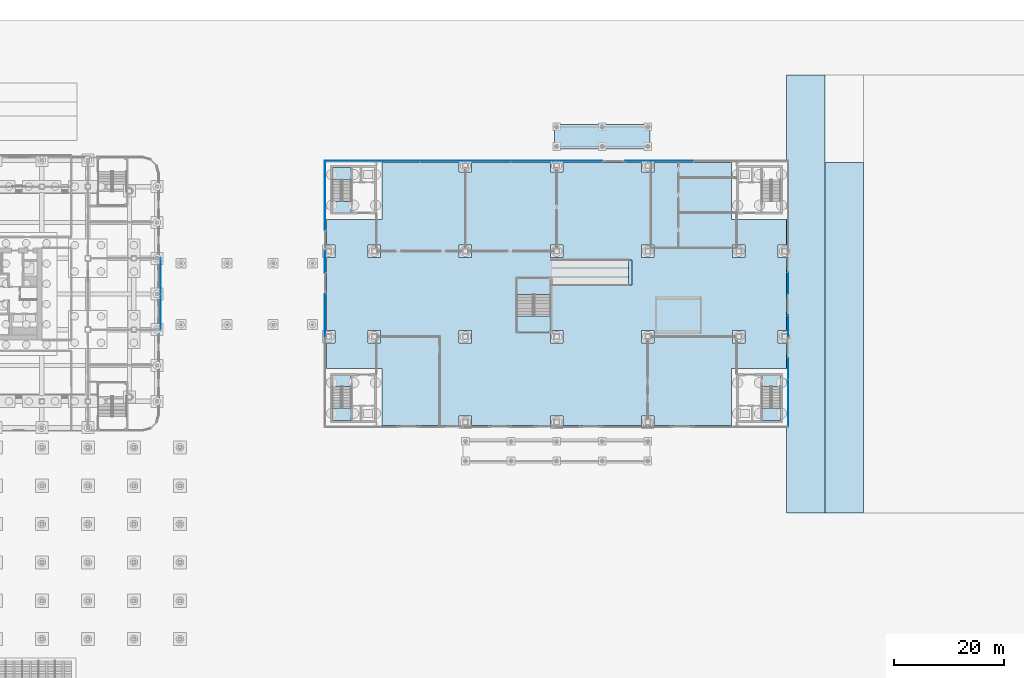
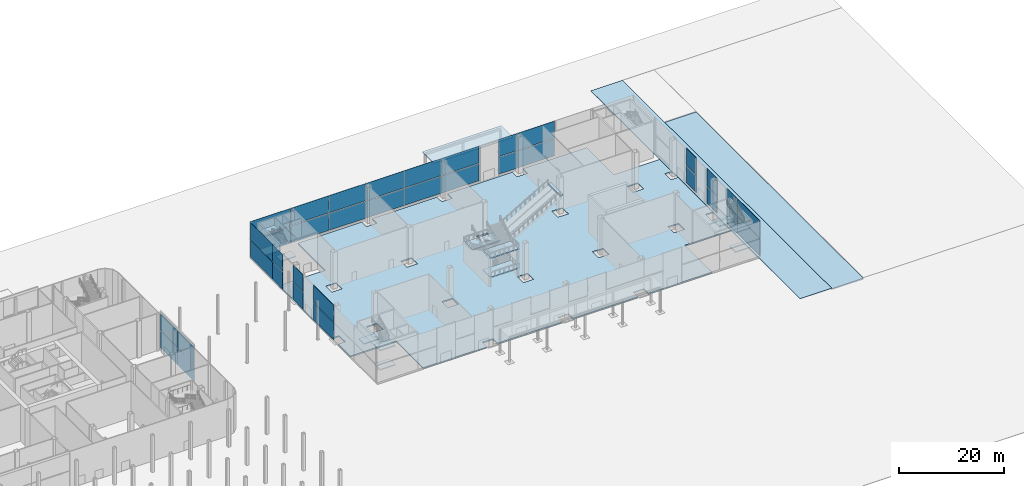
# One storey, part 33 of 113: 37 plates, 16 slabs, 8 elements without a shape of their own.
"""IFC4 building model written with IfcOpenShell, lengths in metres."""

from ifc_helpers import new_model, si_unit, direction, frame, origin, origin_2d, place, context, subcontext, project, spatial, polyline, rectangle, outline, extrude, material, layer, layer_set, type_object, element, aggregate, save


model = new_model("IFC4")

# Units and contexts
model_context = context("Model", 3, precision=1e-05, world=origin(), true_north=direction((0.0, 1.0)))
body_context = subcontext(model_context, "Body", "Model", "MODEL_VIEW")
ifc_project = project(units=[si_unit("LENGTHUNIT", "METRE"), si_unit("AREAUNIT", "SQUARE_METRE"), si_unit("VOLUMEUNIT", "CUBIC_METRE"), si_unit("PLANEANGLEUNIT", "RADIAN"), si_unit("MASSUNIT", "GRAM", prefix="KILO")], contexts=[model_context])

# Site, building, storey
site_placement = place(None, origin())
site = spatial("IfcSite", under=ifc_project, at=site_placement, CompositionType="ELEMENT")
building_placement = place(site_placement, origin())
building = spatial("IfcBuilding", under=site, at=building_placement, Name="Hakoniwa Tower and Hamabe Station Hall", CompositionType="ELEMENT")
storey_placement = place(building_placement, origin())
storey = spatial("IfcBuildingStorey", under=building, at=storey_placement, Name="L01", CompositionType="ELEMENT", Elevation=0.0)

# Slab
ifc_material_1 = material(Name="Concrete C40", Category="concrete")
ifc_layer_1 = layer(ifc_material_1, 0.199951171875)
ifc_layer_set_1 = layer_set([ifc_layer_1], Name="CANOPY ROOF SLAB 200")
slab_type_1 = type_object("IfcSlabType", Name="CANOPY ROOF SLAB 200", PredefinedType="ROOF", material=ifc_layer_set_1)
slab_1_placement = place(storey_placement, frame((0.0, 0.0, 5.949951171875)))
element("IfcSlab", 1, at=slab_1_placement, inside=storey, type_object=slab_type_1, Name="Entrance canopy N roof", PredefinedType="ROOF", context=body_context, shape_type="SweptSolid", body=[
    extrude(outline(polyline([(144.590087890625, 26.5), (144.590087890625, 30.89990234375), (127.14990234375, 30.89990234375), (127.14990234375, 26.5), (144.590087890625, 26.5)])), origin(), (0.0, 0.0, 1.0), 0.199951171875),
])

# Curtain wall, plates
ifc_material_2 = material(Name="Dark low-e laminated glass", Category="glass")
ifc_layer_2 = layer(ifc_material_2, 0.199951171875)
ifc_layer_set_2 = layer_set([ifc_layer_2], Name="CW-3 PODIUM LOBBY")
curtain_wall_type_1 = type_object("IfcCurtainWallType", Name="CW-3 PODIUM LOBBY", PredefinedType="NOTDEFINED", material=ifc_layer_set_2)
curtain_wall_1_placement = place(storey_placement, origin())
curtain_wall_1 = element("IfcCurtainWall", 2, at=curtain_wall_1_placement, inside=storey, type_object=curtain_wall_type_1, Name="Podium curtain wall L01 east 5", PredefinedType="NOTDEFINED")
ifc_material_3 = material(Name="Dark low-e laminated glass", Category="glass")
ifc_layer_3 = layer(ifc_material_3, 0.0380859375)
ifc_layer_set_3 = layer_set([ifc_layer_3], Name="CW-3 LOBBY GLASS UNIT")
plate_type_1 = type_object("IfcPlateType", Name="CW-3 LOBBY GLASS UNIT", PredefinedType="CURTAIN_PANEL", material=ifc_layer_set_3)
plate_1_placement = place(storey_placement, frame((55.285888671875, -3.25, 0.35009765625), z_axis=(0.0, 0.0, 1.0), x_axis=(0.0, 1.0, 0.0)))
plate_1 = element("IfcPlate", 3, at=plate_1_placement, type_object=plate_type_1, Name="CW-3 glass unit", PredefinedType="CURTAIN_PANEL", context=body_context, shape_type="SweptSolid", body=[
    extrude(rectangle(XDim=6.47998046875, YDim=0.0380859375, at=origin_2d()), origin(), (0.0, 0.0, 1.0), 3.989990234375),
])
plate_2_placement = place(storey_placement, frame((55.285888671875, -3.25, 4.4599609375), z_axis=(0.0, 0.0, 1.0), x_axis=(0.0, 1.0, 0.0)))
plate_2 = element("IfcPlate", 4, at=plate_2_placement, type_object=plate_type_1, Name="CW-3 glass unit", PredefinedType="CURTAIN_PANEL", context=body_context, shape_type="SweptSolid", body=[
    extrude(rectangle(XDim=6.47998046875, YDim=0.0380859375, at=origin_2d()), origin(), (0.0, 0.0, 1.0), 3.989990234375),
])
plate_3_placement = place(storey_placement, frame((55.285888671875, 3.25, 0.35009765625), z_axis=(0.0, 0.0, 1.0), x_axis=(0.0, 1.0, 0.0)))
plate_3 = element("IfcPlate", 5, at=plate_3_placement, type_object=plate_type_1, Name="CW-3 glass unit", PredefinedType="CURTAIN_PANEL", context=body_context, shape_type="SweptSolid", body=[
    extrude(rectangle(XDim=6.47998046875, YDim=0.0380859375, at=origin_2d()), origin(), (0.0, 0.0, 1.0), 3.989990234375),
])
plate_4_placement = place(storey_placement, frame((55.285888671875, 3.25, 4.4599609375), z_axis=(0.0, 0.0, 1.0), x_axis=(0.0, 1.0, 0.0)))
plate_4 = element("IfcPlate", 6, at=plate_4_placement, type_object=plate_type_1, Name="CW-3 glass unit", PredefinedType="CURTAIN_PANEL", context=body_context, shape_type="SweptSolid", body=[
    extrude(rectangle(XDim=6.47998046875, YDim=0.0380859375, at=origin_2d()), origin(), (0.0, 0.0, 1.0), 3.989990234375),
])
aggregate(curtain_wall_1, [plate_1, plate_2, plate_3, plate_4])

ifc_material_4 = material(Name="Dark low-e laminated glass", Category="glass")
ifc_layer_4 = layer(ifc_material_4, 0.199951171875)
ifc_layer_set_4 = layer_set([ifc_layer_4], Name="CW-7 STATION")
curtain_wall_type_2 = type_object("IfcCurtainWallType", Name="CW-7 STATION", PredefinedType="NOTDEFINED", material=ifc_layer_set_4)
curtain_wall_2_placement = place(storey_placement, origin())
curtain_wall_2 = element("IfcCurtainWall", 7, at=curtain_wall_2_placement, inside=storey, type_object=curtain_wall_type_2, Name="Station curtain wall L01 east", PredefinedType="NOTDEFINED")
ifc_material_5 = material(Name="Dark low-e laminated glass", Category="glass")
ifc_layer_5 = layer(ifc_material_5, 0.0400390625)
ifc_layer_set_5 = layer_set([ifc_layer_5], Name="CW-7 STATION GLASS UNIT")
plate_type_2 = type_object("IfcPlateType", Name="CW-7 STATION GLASS UNIT", PredefinedType="CURTAIN_PANEL", material=ifc_layer_set_5)
plate_5_placement = place(storey_placement, frame((169.8359375, -19.85009765625, 0.35009765625), z_axis=(0.0, 0.0, 1.0), x_axis=(0.0, 1.0, 0.0)))
plate_5 = element("IfcPlate", 8, at=plate_5_placement, type_object=plate_type_2, Name="CW-7 glass unit", PredefinedType="CURTAIN_PANEL", context=body_context, shape_type="SweptSolid", body=[
    extrude(rectangle(XDim=8.47998046875, YDim=0.0400390625, at=origin_2d()), origin(), (0.0, 0.0, 1.0), 3.989990234375),
])
plate_6_placement = place(storey_placement, frame((169.8359375, -19.85009765625, 4.4599609375), z_axis=(0.0, 0.0, 1.0), x_axis=(0.0, 1.0, 0.0)))
plate_6 = element("IfcPlate", 9, at=plate_6_placement, type_object=plate_type_2, Name="CW-7 glass unit", PredefinedType="CURTAIN_PANEL", context=body_context, shape_type="SweptSolid", body=[
    extrude(rectangle(XDim=8.47998046875, YDim=0.0400390625, at=origin_2d()), origin(), (0.0, 0.0, 1.0), 3.989990234375),
])
plate_7_placement = place(storey_placement, frame((169.8359375, -13.64990234375, 0.35009765625), z_axis=(0.0, 0.0, 1.0), x_axis=(0.0, 1.0, 0.0)))
plate_7 = element("IfcPlate", 10, at=plate_7_placement, type_object=plate_type_2, Name="CW-7 glass unit", PredefinedType="CURTAIN_PANEL", context=body_context, shape_type="SweptSolid", body=[
    extrude(rectangle(XDim=3.8798828125, YDim=0.0400390625, at=origin_2d()), origin(), (0.0, 0.0, 1.0), 3.989990234375),
])
plate_8_placement = place(storey_placement, frame((169.8359375, -13.64990234375, 4.4599609375), z_axis=(0.0, 0.0, 1.0), x_axis=(0.0, 1.0, 0.0)))
plate_8 = element("IfcPlate", 11, at=plate_8_placement, type_object=plate_type_2, Name="CW-7 glass unit", PredefinedType="CURTAIN_PANEL", context=body_context, shape_type="SweptSolid", body=[
    extrude(rectangle(XDim=3.8798828125, YDim=0.0400390625, at=origin_2d()), origin(), (0.0, 0.0, 1.0), 3.989990234375),
])
plate_9_placement = place(storey_placement, frame((169.8359375, -5.85009765625, 0.35009765625), z_axis=(0.0, 0.0, 1.0), x_axis=(0.0, 1.0, 0.0)))
plate_9 = element("IfcPlate", 12, at=plate_9_placement, type_object=plate_type_2, Name="CW-7 glass unit", PredefinedType="CURTAIN_PANEL", context=body_context, shape_type="SweptSolid", body=[
    extrude(rectangle(XDim=3.8798828125, YDim=0.0400390625, at=origin_2d()), origin(), (0.0, 0.0, 1.0), 3.989990234375),
])
plate_10_placement = place(storey_placement, frame((169.8359375, -5.85009765625, 4.4599609375), z_axis=(0.0, 0.0, 1.0), x_axis=(0.0, 1.0, 0.0)))
plate_10 = element("IfcPlate", 13, at=plate_10_placement, type_object=plate_type_2, Name="CW-7 glass unit", PredefinedType="CURTAIN_PANEL", context=body_context, shape_type="SweptSolid", body=[
    extrude(rectangle(XDim=3.8798828125, YDim=0.0400390625, at=origin_2d()), origin(), (0.0, 0.0, 1.0), 3.989990234375),
])
plate_11_placement = place(storey_placement, frame((169.8359375, 1.949951171875, 0.35009765625), z_axis=(0.0, 0.0, 1.0), x_axis=(0.0, 1.0, 0.0)))
plate_11 = element("IfcPlate", 14, at=plate_11_placement, type_object=plate_type_2, Name="CW-7 glass unit", PredefinedType="CURTAIN_PANEL", context=body_context, shape_type="SweptSolid", body=[
    extrude(rectangle(XDim=3.8798828125, YDim=0.0400390625, at=origin_2d()), origin(), (0.0, 0.0, 1.0), 3.989990234375),
])
plate_12_placement = place(storey_placement, frame((169.8359375, 1.949951171875, 4.4599609375), z_axis=(0.0, 0.0, 1.0), x_axis=(0.0, 1.0, 0.0)))
plate_12 = element("IfcPlate", 15, at=plate_12_placement, type_object=plate_type_2, Name="CW-7 glass unit", PredefinedType="CURTAIN_PANEL", context=body_context, shape_type="SweptSolid", body=[
    extrude(rectangle(XDim=3.8798828125, YDim=0.0400390625, at=origin_2d()), origin(), (0.0, 0.0, 1.0), 3.989990234375),
])
aggregate(curtain_wall_2, [plate_5, plate_6, plate_7, plate_8, plate_9, plate_10, plate_11, plate_12])

curtain_wall_3_placement = place(storey_placement, origin())
curtain_wall_3 = element("IfcCurtainWall", 16, at=curtain_wall_3_placement, inside=storey, type_object=curtain_wall_type_2, Name="Station curtain wall L01 north", PredefinedType="NOTDEFINED")
plate_13_placement = place(storey_placement, frame((148.35009765625, 24.285888671875, 0.35009765625), z_axis=(0.0, 0.0, 1.0), x_axis=(-1.0, 0.0, 0.0)))
plate_13 = element("IfcPlate", 17, at=plate_13_placement, type_object=plate_type_2, Name="CW-7 glass unit", PredefinedType="CURTAIN_PANEL", context=body_context, shape_type="SweptSolid", body=[
    extrude(rectangle(XDim=8.300048828125, YDim=0.0400390625, at=origin_2d()), origin(), (0.0, 0.0, 1.0), 3.989990234375),
])
plate_14_placement = place(storey_placement, frame((148.35009765625, 24.285888671875, 4.4599609375), z_axis=(0.0, 0.0, 1.0), x_axis=(-1.0, 0.0, 0.0)))
plate_14 = element("IfcPlate", 18, at=plate_14_placement, type_object=plate_type_2, Name="CW-7 glass unit", PredefinedType="CURTAIN_PANEL", context=body_context, shape_type="SweptSolid", body=[
    extrude(rectangle(XDim=8.300048828125, YDim=0.0400390625, at=origin_2d()), origin(), (0.0, 0.0, 1.0), 3.989990234375),
])
plate_15_placement = place(storey_placement, frame((142.110107421875, 24.285888671875, 0.35009765625), z_axis=(0.0, 0.0, 1.0), x_axis=(-1.0, 0.0, 0.0)))
plate_15 = element("IfcPlate", 19, at=plate_15_placement, type_object=plate_type_2, Name="CW-7 glass unit", PredefinedType="CURTAIN_PANEL", context=body_context, shape_type="SweptSolid", body=[
    extrude(rectangle(XDim=4.139892578125, YDim=0.0400390625, at=origin_2d()), origin(), (0.0, 0.0, 1.0), 3.989990234375),
])
plate_16_placement = place(storey_placement, frame((142.110107421875, 24.285888671875, 4.4599609375), z_axis=(0.0, 0.0, 1.0), x_axis=(-1.0, 0.0, 0.0)))
plate_16 = element("IfcPlate", 20, at=plate_16_placement, type_object=plate_type_2, Name="CW-7 glass unit", PredefinedType="CURTAIN_PANEL", context=body_context, shape_type="SweptSolid", body=[
    extrude(rectangle(XDim=4.139892578125, YDim=0.0400390625, at=origin_2d()), origin(), (0.0, 0.0, 1.0), 3.989990234375),
])
plate_17_placement = place(storey_placement, frame((131.7099609375, 24.285888671875, 0.35009765625), z_axis=(0.0, 0.0, 1.0), x_axis=(-1.0, 0.0, 0.0)))
plate_17 = element("IfcPlate", 21, at=plate_17_placement, type_object=plate_type_2, Name="CW-7 glass unit", PredefinedType="CURTAIN_PANEL", context=body_context, shape_type="SweptSolid", body=[
    extrude(rectangle(XDim=8.300048828125, YDim=0.0400390625, at=origin_2d()), origin(), (0.0, 0.0, 1.0), 3.989990234375),
])
plate_18_placement = place(storey_placement, frame((131.7099609375, 24.285888671875, 4.4599609375), z_axis=(0.0, 0.0, 1.0), x_axis=(-1.0, 0.0, 0.0)))
plate_18 = element("IfcPlate", 22, at=plate_18_placement, type_object=plate_type_2, Name="CW-7 glass unit", PredefinedType="CURTAIN_PANEL", context=body_context, shape_type="SweptSolid", body=[
    extrude(rectangle(XDim=8.300048828125, YDim=0.0400390625, at=origin_2d()), origin(), (0.0, 0.0, 1.0), 3.989990234375),
])
plate_19_placement = place(storey_placement, frame((123.389892578125, 24.285888671875, 0.35009765625), z_axis=(0.0, 0.0, 1.0), x_axis=(-1.0, 0.0, 0.0)))
plate_19 = element("IfcPlate", 23, at=plate_19_placement, type_object=plate_type_2, Name="CW-7 glass unit", PredefinedType="CURTAIN_PANEL", context=body_context, shape_type="SweptSolid", body=[
    extrude(rectangle(XDim=8.300048828125, YDim=0.0400390625, at=origin_2d()), origin(), (0.0, 0.0, 1.0), 3.989990234375),
])
plate_20_placement = place(storey_placement, frame((123.389892578125, 24.285888671875, 4.4599609375), z_axis=(0.0, 0.0, 1.0), x_axis=(-1.0, 0.0, 0.0)))
plate_20 = element("IfcPlate", 24, at=plate_20_placement, type_object=plate_type_2, Name="CW-7 glass unit", PredefinedType="CURTAIN_PANEL", context=body_context, shape_type="SweptSolid", body=[
    extrude(rectangle(XDim=8.300048828125, YDim=0.0400390625, at=origin_2d()), origin(), (0.0, 0.0, 1.0), 3.989990234375),
])
plate_21_placement = place(storey_placement, frame((115.070068359375, 24.285888671875, 0.35009765625), z_axis=(0.0, 0.0, 1.0), x_axis=(-1.0, 0.0, 0.0)))
plate_21 = element("IfcPlate", 25, at=plate_21_placement, type_object=plate_type_2, Name="CW-7 glass unit", PredefinedType="CURTAIN_PANEL", context=body_context, shape_type="SweptSolid", body=[
    extrude(rectangle(XDim=8.300048828125, YDim=0.0400390625, at=origin_2d()), origin(), (0.0, 0.0, 1.0), 3.989990234375),
])
plate_22_placement = place(storey_placement, frame((115.070068359375, 24.285888671875, 4.4599609375), z_axis=(0.0, 0.0, 1.0), x_axis=(-1.0, 0.0, 0.0)))
plate_22 = element("IfcPlate", 26, at=plate_22_placement, type_object=plate_type_2, Name="CW-7 glass unit", PredefinedType="CURTAIN_PANEL", context=body_context, shape_type="SweptSolid", body=[
    extrude(rectangle(XDim=8.300048828125, YDim=0.0400390625, at=origin_2d()), origin(), (0.0, 0.0, 1.0), 3.989990234375),
])
plate_23_placement = place(storey_placement, frame((106.75, 24.285888671875, 0.35009765625), z_axis=(0.0, 0.0, 1.0), x_axis=(-1.0, 0.0, 0.0)))
plate_23 = element("IfcPlate", 27, at=plate_23_placement, type_object=plate_type_2, Name="CW-7 glass unit", PredefinedType="CURTAIN_PANEL", context=body_context, shape_type="SweptSolid", body=[
    extrude(rectangle(XDim=8.300048828125, YDim=0.0400390625, at=origin_2d()), origin(), (0.0, 0.0, 1.0), 3.989990234375),
])
plate_24_placement = place(storey_placement, frame((106.75, 24.285888671875, 4.4599609375), z_axis=(0.0, 0.0, 1.0), x_axis=(-1.0, 0.0, 0.0)))
plate_24 = element("IfcPlate", 28, at=plate_24_placement, type_object=plate_type_2, Name="CW-7 glass unit", PredefinedType="CURTAIN_PANEL", context=body_context, shape_type="SweptSolid", body=[
    extrude(rectangle(XDim=8.300048828125, YDim=0.0400390625, at=origin_2d()), origin(), (0.0, 0.0, 1.0), 3.989990234375),
])
plate_25_placement = place(storey_placement, frame((98.429931640625, 24.285888671875, 0.35009765625), z_axis=(0.0, 0.0, 1.0), x_axis=(-1.0, 0.0, 0.0)))
plate_25 = element("IfcPlate", 29, at=plate_25_placement, type_object=plate_type_2, Name="CW-7 glass unit", PredefinedType="CURTAIN_PANEL", context=body_context, shape_type="SweptSolid", body=[
    extrude(rectangle(XDim=8.300048828125, YDim=0.0400390625, at=origin_2d()), origin(), (0.0, 0.0, 1.0), 3.989990234375),
])
plate_26_placement = place(storey_placement, frame((98.429931640625, 24.285888671875, 4.4599609375), z_axis=(0.0, 0.0, 1.0), x_axis=(-1.0, 0.0, 0.0)))
plate_26 = element("IfcPlate", 30, at=plate_26_placement, type_object=plate_type_2, Name="CW-7 glass unit", PredefinedType="CURTAIN_PANEL", context=body_context, shape_type="SweptSolid", body=[
    extrude(rectangle(XDim=8.300048828125, YDim=0.0400390625, at=origin_2d()), origin(), (0.0, 0.0, 1.0), 3.989990234375),
])
plate_27_placement = place(storey_placement, frame((89.760009765625, 24.285888671875, 0.35009765625), z_axis=(0.0, 0.0, 1.0), x_axis=(-1.0, 0.0, 0.0)))
plate_27 = element("IfcPlate", 31, at=plate_27_placement, type_object=plate_type_2, Name="CW-7 glass unit", PredefinedType="CURTAIN_PANEL", context=body_context, shape_type="SweptSolid", body=[
    extrude(rectangle(XDim=9.0, YDim=0.0400390625, at=origin_2d()), origin(), (0.0, 0.0, 1.0), 3.989990234375),
])
plate_28_placement = place(storey_placement, frame((89.760009765625, 24.285888671875, 4.4599609375), z_axis=(0.0, 0.0, 1.0), x_axis=(-1.0, 0.0, 0.0)))
plate_28 = element("IfcPlate", 32, at=plate_28_placement, type_object=plate_type_2, Name="CW-7 glass unit", PredefinedType="CURTAIN_PANEL", context=body_context, shape_type="SweptSolid", body=[
    extrude(rectangle(XDim=9.0, YDim=0.0400390625, at=origin_2d()), origin(), (0.0, 0.0, 1.0), 3.989990234375),
])
aggregate(curtain_wall_3, [plate_13, plate_14, plate_15, plate_16, plate_17, plate_18, plate_19, plate_20, plate_21, plate_22, plate_23, plate_24, plate_25, plate_26, plate_27, plate_28])

curtain_wall_4_placement = place(storey_placement, origin())
curtain_wall_4 = element("IfcCurtainWall", 33, at=curtain_wall_4_placement, inside=storey, type_object=curtain_wall_type_2, Name="Station curtain wall L01 west", PredefinedType="NOTDEFINED")
plate_29_placement = place(storey_placement, frame((85.263916015625, 19.85009765625, 0.35009765625), z_axis=(0.0, 0.0, 1.0), x_axis=(0.0, -1.0, 0.0)))
plate_29 = element("IfcPlate", 34, at=plate_29_placement, type_object=plate_type_2, Name="CW-7 glass unit", PredefinedType="CURTAIN_PANEL", context=body_context, shape_type="SweptSolid", body=[
    extrude(rectangle(XDim=8.47998046875, YDim=0.0400390625, at=origin_2d()), origin(), (0.0, 0.0, 1.0), 3.989990234375),
])
plate_30_placement = place(storey_placement, frame((85.263916015625, 19.85009765625, 4.4599609375), z_axis=(0.0, 0.0, 1.0), x_axis=(0.0, -1.0, 0.0)))
plate_30 = element("IfcPlate", 35, at=plate_30_placement, type_object=plate_type_2, Name="CW-7 glass unit", PredefinedType="CURTAIN_PANEL", context=body_context, shape_type="SweptSolid", body=[
    extrude(rectangle(XDim=8.47998046875, YDim=0.0400390625, at=origin_2d()), origin(), (0.0, 0.0, 1.0), 3.989990234375),
])
plate_31_placement = place(storey_placement, frame((85.263916015625, 13.64990234375, 0.35009765625), z_axis=(0.0, 0.0, 1.0), x_axis=(0.0, -1.0, 0.0)))
plate_31 = element("IfcPlate", 36, at=plate_31_placement, type_object=plate_type_2, Name="CW-7 glass unit", PredefinedType="CURTAIN_PANEL", context=body_context, shape_type="SweptSolid", body=[
    extrude(rectangle(XDim=3.8798828125, YDim=0.0400390625, at=origin_2d()), origin(), (0.0, 0.0, 1.0), 3.989990234375),
])
plate_32_placement = place(storey_placement, frame((85.263916015625, 13.64990234375, 4.4599609375), z_axis=(0.0, 0.0, 1.0), x_axis=(0.0, -1.0, 0.0)))
plate_32 = element("IfcPlate", 37, at=plate_32_placement, type_object=plate_type_2, Name="CW-7 glass unit", PredefinedType="CURTAIN_PANEL", context=body_context, shape_type="SweptSolid", body=[
    extrude(rectangle(XDim=3.8798828125, YDim=0.0400390625, at=origin_2d()), origin(), (0.0, 0.0, 1.0), 3.989990234375),
])
plate_33_placement = place(storey_placement, frame((85.263916015625, 5.85009765625, 0.35009765625), z_axis=(0.0, 0.0, 1.0), x_axis=(0.0, -1.0, 0.0)))
plate_33 = element("IfcPlate", 38, at=plate_33_placement, type_object=plate_type_2, Name="CW-7 glass unit", PredefinedType="CURTAIN_PANEL", context=body_context, shape_type="SweptSolid", body=[
    extrude(rectangle(XDim=3.8798828125, YDim=0.0400390625, at=origin_2d()), origin(), (0.0, 0.0, 1.0), 3.989990234375),
])
plate_34_placement = place(storey_placement, frame((85.263916015625, 5.85009765625, 4.4599609375), z_axis=(0.0, 0.0, 1.0), x_axis=(0.0, -1.0, 0.0)))
plate_34 = element("IfcPlate", 39, at=plate_34_placement, type_object=plate_type_2, Name="CW-7 glass unit", PredefinedType="CURTAIN_PANEL", context=body_context, shape_type="SweptSolid", body=[
    extrude(rectangle(XDim=3.8798828125, YDim=0.0400390625, at=origin_2d()), origin(), (0.0, 0.0, 1.0), 3.989990234375),
])
plate_35_placement = place(storey_placement, frame((85.263916015625, -3.89990234375, 0.35009765625), z_axis=(0.0, 0.0, 1.0), x_axis=(0.0, -1.0, 0.0)))
plate_35 = element("IfcPlate", 40, at=plate_35_placement, type_object=plate_type_2, Name="CW-7 glass unit", PredefinedType="CURTAIN_PANEL", context=body_context, shape_type="SweptSolid", body=[
    extrude(rectangle(XDim=7.780029296875, YDim=0.0400390625, at=origin_2d()), origin(), (0.0, 0.0, 1.0), 3.989990234375),
])
plate_36_placement = place(storey_placement, frame((85.263916015625, -3.89990234375, 4.4599609375), z_axis=(0.0, 0.0, 1.0), x_axis=(0.0, -1.0, 0.0)))
plate_36 = element("IfcPlate", 41, at=plate_36_placement, type_object=plate_type_2, Name="CW-7 glass unit", PredefinedType="CURTAIN_PANEL", context=body_context, shape_type="SweptSolid", body=[
    extrude(rectangle(XDim=7.780029296875, YDim=0.0400390625, at=origin_2d()), origin(), (0.0, 0.0, 1.0), 3.989990234375),
])
aggregate(curtain_wall_4, [plate_29, plate_30, plate_31, plate_32, plate_33, plate_34, plate_35, plate_36])

# Plate
ifc_material_6 = material(Name="Stainless steel SUS304", Category="steel")
ifc_layer_6 = layer(ifc_material_6, 0.346435546875)
ifc_layer_set_6 = layer_set([ifc_layer_6], Name="ESCALATOR LANDING PLATE")
plate_type_3 = type_object("IfcPlateType", Name="ESCALATOR LANDING PLATE", PredefinedType="SHEET", material=ifc_layer_set_6)
plate_37_placement = place(storey_placement, frame((0.0, 0.0, 8.653564453125)))
element("IfcPlate", 42, at=plate_37_placement, inside=storey, type_object=plate_type_3, Name="Escalator landing plate ESC-A", PredefinedType="SHEET", context=body_context, shape_type="SweptSolid", body=[
    extrude(outline(polyline([(141.2724609375, 1.60009765625), (141.2724609375, 6.199951171875), (140.67236328125, 6.199951171875), (140.67236328125, 1.60009765625), (141.2724609375, 1.60009765625)])), origin(), (0.0, 0.0, 1.0), 0.346435546875),
])

# Slabs
ifc_material_7 = material(Name="Concrete C30", Category="concrete")
ifc_layer_7 = layer(ifc_material_7, 0.25)
ifc_layer_set_7 = layer_set([ifc_layer_7], Name="SITE BUS LANE PAVING 250")
slab_type_2 = type_object("IfcSlabType", Name="SITE BUS LANE PAVING 250", PredefinedType="USERDEFINED", material=ifc_layer_set_7)
slab_2_placement = place(storey_placement, frame((0.0, 0.0, -0.39990234375)))
element("IfcSlab", 43, at=slab_2_placement, inside=storey, type_object=slab_type_2, Name="Bus Lane", ObjectType="PAVING", PredefinedType="USERDEFINED", context=body_context, shape_type="SweptSolid", body=[
    extrude(outline(polyline([(176.550048828125, 24.0), (176.550048828125, -40.0), (183.550048828125, -40.0), (183.550048828125, 24.0), (176.550048828125, 24.0)])), origin(), (0.0, 0.0, 1.0), 0.25),
])
ifc_material_8 = material(Name="Granite paving slabs on concrete base", Category="masonry")
ifc_layer_8 = layer(ifc_material_8, 0.14990234375)
ifc_layer_set_8 = layer_set([ifc_layer_8], Name="SITE PLAZA PAVING 150")
slab_type_3 = type_object("IfcSlabType", Name="SITE PLAZA PAVING 150", PredefinedType="USERDEFINED", material=ifc_layer_set_8)
slab_3_placement = place(storey_placement, frame((0.0, 0.0, -0.14990234375)))
element("IfcSlab", 44, at=slab_3_placement, inside=storey, type_object=slab_type_3, Name="Station Plaza", ObjectType="PAVING", PredefinedType="USERDEFINED", context=body_context, shape_type="SweptSolid", body=[
    extrude(outline(polyline([(176.550048828125, -40.0), (176.550048828125, 24.0), (176.550048828125, 40.0), (169.550048828125, 40.0), (169.550048828125, 24.0), (169.550048828125, -24.0), (169.550048828125, -40.0), (176.550048828125, -40.0)])), origin(), (0.0, 0.0, 1.0), 0.14990234375),
])

# Stair, slabs
ifc_material_9 = material(Name="Concrete C40", Category="concrete")
stair_type_1 = type_object("IfcStairType", Name="STAIR 1600 15X150", PredefinedType="HALF_TURN_STAIR", material=ifc_material_9)
stair_1_placement = place(storey_placement, origin())
stair_1 = element("IfcStair", 45, at=stair_1_placement, inside=storey, type_object=stair_type_1, Name="Escape stair SS1 L01", PredefinedType="HALF_TURN_STAIR")
ifc_material_10 = material(Name="Concrete C40", Category="concrete")
ifc_layer_9 = layer(ifc_material_10, 0.25)
ifc_layer_set_9 = layer_set([ifc_layer_9], Name="STAIR LANDING 250")
slab_type_4 = type_object("IfcSlabType", Name="STAIR LANDING 250", PredefinedType="LANDING", material=ifc_layer_set_9)
slab_4_placement = place(storey_placement, frame((0.0, 0.0, 2.0)))
slab_4 = element("IfcSlab", 46, at=slab_4_placement, type_object=slab_type_4, Name="SS1 landing 1", PredefinedType="LANDING", context=body_context, shape_type="SweptSolid", body=[
    extrude(outline(polyline([(90.050048828125, 20.820068359375), (90.050048828125, 23.10009765625), (86.64990234375, 23.10009765625), (86.64990234375, 20.820068359375), (90.050048828125, 20.820068359375)])), origin(), (0.0, 0.0, 1.0), 0.25),
])
slab_5_placement = place(storey_placement, frame((0.0, 0.0, 4.25)))
slab_5 = element("IfcSlab", 47, at=slab_5_placement, type_object=slab_type_4, Name="SS1 landing 2", PredefinedType="LANDING", context=body_context, shape_type="SweptSolid", body=[
    extrude(outline(polyline([(90.050048828125, 14.89990234375), (90.050048828125, 16.89990234375), (86.64990234375, 16.89990234375), (86.64990234375, 14.89990234375), (90.050048828125, 14.89990234375)])), origin(), (0.0, 0.0, 1.0), 0.25),
])
slab_6_placement = place(storey_placement, frame((0.0, 0.0, 6.5)))
slab_6 = element("IfcSlab", 48, at=slab_6_placement, type_object=slab_type_4, Name="SS1 landing 3", PredefinedType="LANDING", context=body_context, shape_type="SweptSolid", body=[
    extrude(outline(polyline([(90.050048828125, 20.820068359375), (90.050048828125, 23.10009765625), (86.64990234375, 23.10009765625), (86.64990234375, 20.820068359375), (90.050048828125, 20.820068359375)])), origin(), (0.0, 0.0, 1.0), 0.25),
])
aggregate(stair_1, [slab_4, slab_5, slab_6])

stair_2_placement = place(storey_placement, origin())
stair_2 = element("IfcStair", 49, at=stair_2_placement, inside=storey, type_object=stair_type_1, Name="Escape stair SS3 L01", PredefinedType="HALF_TURN_STAIR")
slab_7_placement = place(storey_placement, frame((0.0, 0.0, 2.0)))
slab_7 = element("IfcSlab", 50, at=slab_7_placement, type_object=slab_type_4, Name="SS3 landing 1", PredefinedType="LANDING", context=body_context, shape_type="SweptSolid", body=[
    extrude(outline(polyline([(86.64990234375, -20.820068359375), (86.64990234375, -23.10009765625), (90.050048828125, -23.10009765625), (90.050048828125, -20.820068359375), (86.64990234375, -20.820068359375)])), origin(), (0.0, 0.0, 1.0), 0.25),
])
slab_8_placement = place(storey_placement, frame((0.0, 0.0, 4.25)))
slab_8 = element("IfcSlab", 51, at=slab_8_placement, type_object=slab_type_4, Name="SS3 landing 2", PredefinedType="LANDING", context=body_context, shape_type="SweptSolid", body=[
    extrude(outline(polyline([(86.64990234375, -14.89990234375), (86.64990234375, -16.89990234375), (90.050048828125, -16.89990234375), (90.050048828125, -14.89990234375), (86.64990234375, -14.89990234375)])), origin(), (0.0, 0.0, 1.0), 0.25),
])
slab_9_placement = place(storey_placement, frame((0.0, 0.0, 6.5)))
slab_9 = element("IfcSlab", 52, at=slab_9_placement, type_object=slab_type_4, Name="SS3 landing 3", PredefinedType="LANDING", context=body_context, shape_type="SweptSolid", body=[
    extrude(outline(polyline([(86.64990234375, -20.820068359375), (86.64990234375, -23.10009765625), (90.050048828125, -23.10009765625), (90.050048828125, -20.820068359375), (86.64990234375, -20.820068359375)])), origin(), (0.0, 0.0, 1.0), 0.25),
])
aggregate(stair_2, [slab_7, slab_8, slab_9])

stair_3_placement = place(storey_placement, origin())
stair_3 = element("IfcStair", 53, at=stair_3_placement, inside=storey, type_object=stair_type_1, Name="Escape stair SS4 L01", PredefinedType="HALF_TURN_STAIR")
slab_10_placement = place(storey_placement, frame((0.0, 0.0, 2.0)))
slab_10 = element("IfcSlab", 54, at=slab_10_placement, type_object=slab_type_4, Name="SS4 landing 1", PredefinedType="LANDING", context=body_context, shape_type="SweptSolid", body=[
    extrude(outline(polyline([(165.050048828125, -20.820068359375), (165.050048828125, -23.10009765625), (168.449951171875, -23.10009765625), (168.449951171875, -20.820068359375), (165.050048828125, -20.820068359375)])), origin(), (0.0, 0.0, 1.0), 0.25),
])
slab_11_placement = place(storey_placement, frame((0.0, 0.0, 4.25)))
slab_11 = element("IfcSlab", 55, at=slab_11_placement, type_object=slab_type_4, Name="SS4 landing 2", PredefinedType="LANDING", context=body_context, shape_type="SweptSolid", body=[
    extrude(outline(polyline([(165.050048828125, -14.89990234375), (165.050048828125, -16.89990234375), (168.449951171875, -16.89990234375), (168.449951171875, -14.89990234375), (165.050048828125, -14.89990234375)])), origin(), (0.0, 0.0, 1.0), 0.25),
])
slab_12_placement = place(storey_placement, frame((0.0, 0.0, 6.5)))
slab_12 = element("IfcSlab", 56, at=slab_12_placement, type_object=slab_type_4, Name="SS4 landing 3", PredefinedType="LANDING", context=body_context, shape_type="SweptSolid", body=[
    extrude(outline(polyline([(165.050048828125, -20.820068359375), (165.050048828125, -23.10009765625), (168.449951171875, -23.10009765625), (168.449951171875, -20.820068359375), (165.050048828125, -20.820068359375)])), origin(), (0.0, 0.0, 1.0), 0.25),
])
aggregate(stair_3, [slab_10, slab_11, slab_12])

ifc_material_11 = material(Name="Concrete C40", Category="concrete")
stair_type_2 = type_object("IfcStairType", Name="STAIR 3000 15X150", PredefinedType="HALF_TURN_STAIR", material=ifc_material_11)
stair_4_placement = place(storey_placement, origin())
stair_4 = element("IfcStair", 57, at=stair_4_placement, inside=storey, type_object=stair_type_2, Name="Concourse stair 1 L01-L02", PredefinedType="HALF_TURN_STAIR")
slab_13_placement = place(storey_placement, frame((0.0, 0.0, 2.0)))
slab_13 = element("IfcSlab", 58, at=slab_13_placement, type_object=slab_type_4, Name="CS1 landing 1", PredefinedType="LANDING", context=body_context, shape_type="SweptSolid", body=[
    extrude(outline(polyline([(126.489990234375, -4.02001953125), (120.2900390625, -4.02001953125), (120.2900390625, -6.719970703125), (120.590087890625, -6.719970703125), (120.590087890625, -7.02001953125), (126.18994140625, -7.02001953125), (126.18994140625, -6.719970703125), (126.489990234375, -6.719970703125), (126.489990234375, -4.02001953125)])), origin(), (0.0, 0.0, 1.0), 0.25),
])
slab_14_placement = place(storey_placement, frame((0.0, 0.0, 4.25)))
slab_14 = element("IfcSlab", 59, at=slab_14_placement, type_object=slab_type_4, Name="CS1 landing 2", PredefinedType="LANDING", context=body_context, shape_type="SweptSolid", body=[
    extrude(outline(polyline([(120.2900390625, 2.89990234375), (120.2900390625, -0.10009765625), (126.489990234375, -0.10009765625), (126.489990234375, 2.89990234375), (120.2900390625, 2.89990234375)])), origin(), (0.0, 0.0, 1.0), 0.25),
])
slab_15_placement = place(storey_placement, frame((0.0, 0.0, 6.5)))
slab_15 = element("IfcSlab", 60, at=slab_15_placement, type_object=slab_type_4, Name="CS1 landing 3", PredefinedType="LANDING", context=body_context, shape_type="SweptSolid", body=[
    extrude(outline(polyline([(120.2900390625, -4.02001953125), (120.2900390625, -7.02001953125), (126.489990234375, -7.02001953125), (126.489990234375, -4.02001953125), (120.2900390625, -4.02001953125)])), origin(), (0.0, 0.0, 1.0), 0.25),
])
aggregate(stair_4, [slab_13, slab_14, slab_15])

# Slab
ifc_material_12 = material(Name="Concrete C30", Category="concrete")
ifc_layer_10 = layer(ifc_material_12, 0.300048828125)
ifc_layer_set_10 = layer_set([ifc_layer_10], Name="STATION GROUND SLAB 300")
slab_type_5 = type_object("IfcSlabType", Name="STATION GROUND SLAB 300", PredefinedType="BASESLAB", material=ifc_layer_set_10)
slab_16_placement = place(storey_placement, frame((0.0, 0.0, -0.300048828125)))
element("IfcSlab", 61, at=slab_16_placement, inside=storey, type_object=slab_type_5, Name="Station ground floor slab on grade", PredefinedType="BASESLAB", context=body_context, shape_type="SweptSolid", body=[
    extrude(outline(polyline([(169.550048828125, -13.60009765625), (169.550048828125, -8.949951171875), (168.0, -8.949951171875), (168.0, -6.64990234375), (169.550048828125, -6.64990234375), (169.550048828125, 6.64990234375), (168.0, 6.64990234375), (168.0, 8.949951171875), (169.550048828125, 8.949951171875), (169.550048828125, 13.60009765625), (159.429931640625, 13.60009765625), (159.429931640625, 24.0), (145.340087890625, 24.0), (145.340087890625, 22.25), (143.0400390625, 22.25), (143.0400390625, 24.0), (128.699951171875, 24.0), (128.699951171875, 22.25), (126.39990234375, 22.25), (126.39990234375, 24.0), (112.06005859375, 24.0), (112.06005859375, 22.25), (109.760009765625, 22.25), (109.760009765625, 24.0), (95.669921875, 24.0), (95.669921875, 13.60009765625), (85.550048828125, 13.60009765625), (85.550048828125, 8.949951171875), (87.10009765625, 8.949951171875), (87.10009765625, 6.64990234375), (85.550048828125, 6.64990234375), (85.550048828125, -6.64990234375), (87.10009765625, -6.64990234375), (87.10009765625, -8.949951171875), (85.550048828125, -8.949951171875), (85.550048828125, -13.60009765625), (95.669921875, -13.60009765625), (95.669921875, -24.0), (109.760009765625, -24.0), (109.760009765625, -22.25), (112.06005859375, -22.25), (112.06005859375, -24.0), (126.39990234375, -24.0), (126.39990234375, -22.25), (128.699951171875, -22.25), (128.699951171875, -24.0), (143.0400390625, -24.0), (143.0400390625, -22.25), (145.340087890625, -22.25), (145.340087890625, -24.0), (159.429931640625, -24.0), (159.429931640625, -13.60009765625), (169.550048828125, -13.60009765625)]), holes=[polyline([(95.419921875, -8.949951171875), (93.1201171875, -8.949951171875), (93.1201171875, -6.64990234375), (95.419921875, -6.64990234375), (95.419921875, -8.949951171875)]), polyline([(112.06005859375, -8.949951171875), (109.760009765625, -8.949951171875), (109.760009765625, -6.64990234375), (112.06005859375, -6.64990234375), (112.06005859375, -8.949951171875)]), polyline([(128.699951171875, -6.64990234375), (128.699951171875, -8.949951171875), (126.39990234375, -8.949951171875), (126.39990234375, -6.64990234375), (128.699951171875, -6.64990234375)]), polyline([(95.419921875, 6.64990234375), (93.1201171875, 6.64990234375), (93.1201171875, 8.949951171875), (95.419921875, 8.949951171875), (95.419921875, 6.64990234375)]), polyline([(112.06005859375, 8.949951171875), (112.06005859375, 6.64990234375), (109.760009765625, 6.64990234375), (109.760009765625, 8.949951171875), (112.06005859375, 8.949951171875)]), polyline([(145.340087890625, -8.949951171875), (143.0400390625, -8.949951171875), (143.0400390625, -6.64990234375), (145.340087890625, -6.64990234375), (145.340087890625, -8.949951171875)]), polyline([(161.97998046875, -6.64990234375), (161.97998046875, -8.949951171875), (159.679931640625, -8.949951171875), (159.679931640625, -6.64990234375), (161.97998046875, -6.64990234375)]), polyline([(128.699951171875, 6.64990234375), (126.39990234375, 6.64990234375), (126.39990234375, 8.949951171875), (128.699951171875, 8.949951171875), (128.699951171875, 6.64990234375)]), polyline([(145.340087890625, 8.949951171875), (145.340087890625, 6.64990234375), (143.0400390625, 6.64990234375), (143.0400390625, 8.949951171875), (145.340087890625, 8.949951171875)]), polyline([(161.97998046875, 6.64990234375), (159.679931640625, 6.64990234375), (159.679931640625, 8.949951171875), (161.97998046875, 8.949951171875), (161.97998046875, 6.64990234375)])]), origin(), (0.0, 0.0, 1.0), 0.300048828125),
])

save(model, "model.ifc")
